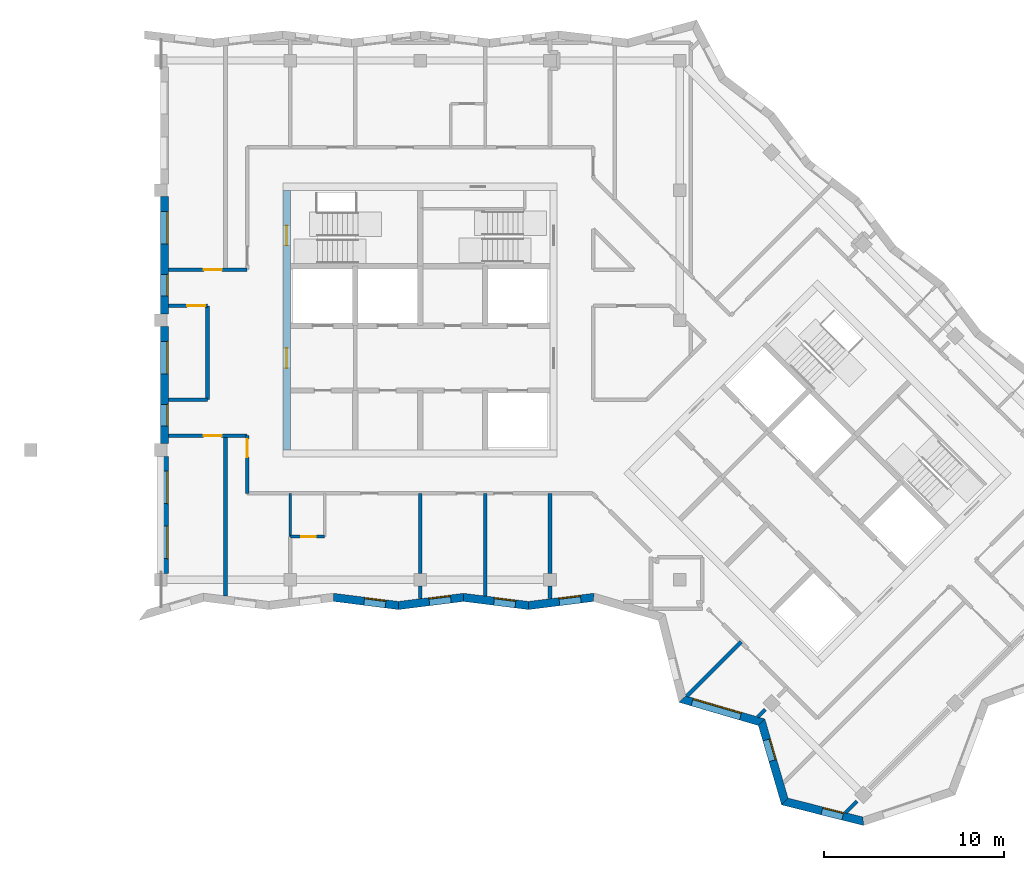
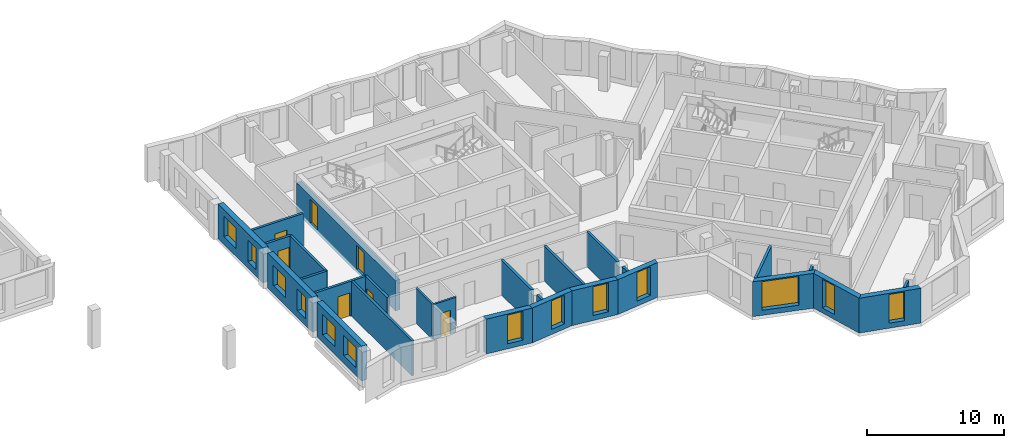
# One storey, part 2 of 12: 28 walls, 13 windows, 7 doors, 20 openings.
"""IFC4 building model written with IfcOpenShell, lengths in metres."""

from ifc_helpers import new_model, si_unit, direction, frame, frame_2d, origin, place, context, subcontext, project, spatial, polyline, rectangle, outline, extrude, material, layer, layer_set, type_object, element, fill, save


model = new_model("IFC4")

# Units and contexts
model_context = context("Model", 3, precision=1e-05, world=origin(), true_north=direction((0.0, 1.0)))
body_context = subcontext(model_context, "Body", "Model", "MODEL_VIEW")
ifc_project = project(units=[si_unit("LENGTHUNIT", "METRE"), si_unit("AREAUNIT", "SQUARE_METRE"), si_unit("VOLUMEUNIT", "CUBIC_METRE"), si_unit("PLANEANGLEUNIT", "RADIAN"), si_unit("MASSUNIT", "GRAM", prefix="KILO")], contexts=[model_context])

# Site, building, storey
site_placement = place(None, origin())
site = spatial("IfcSite", under=ifc_project, at=site_placement, CompositionType="ELEMENT")
building_placement = place(site_placement, origin())
building = spatial("IfcBuilding", under=site, at=building_placement, Name="Windrow Commons", CompositionType="ELEMENT")
storey_placement = place(building_placement, frame((0.0, 0.0, 260.8)))
storey = spatial("IfcBuildingStorey", under=building, at=storey_placement, Name="L71", CompositionType="ELEMENT", Elevation=260.8)

# Wall, opening, window
ifc_material_1 = material(Name="Brick masonry, red clay brick", Category="masonry")
ifc_layer_1 = layer(ifc_material_1, 0.45)
ifc_layer_set_1 = layer_set([ifc_layer_1], Name="Brick facade wall 450")
wall_type_1 = type_object("IfcWallType", Name="Brick facade wall 450", PredefinedType="SOLIDWALL", material=ifc_layer_set_1)
wall_1_placement = place(storey_placement, frame((60.0026, 42.2268, 0.0), z_axis=(0.0, 0.0, 1.0), x_axis=(0.9922477484, -0.124275524, 0.0)))
wall_1 = element("IfcWall", 1, at=wall_1_placement, inside=storey, type_object=wall_type_1, Name="Brick facade wall L71 41", PredefinedType="SOLIDWALL", context=body_context, shape_type="SweptSolid", body=[
    extrude(outline(polyline([(0.0282, -0.225), (3.6572, -0.225), (3.6008, 0.225), (-0.0282, 0.225), (0.0282, -0.225)])), origin(), (0.0, 0.0, 1.0), 3.1),
])
opening_1_placement = place(wall_1_placement, frame((1.7038, 0.0, 0.45)))
opening_1 = element("IfcOpeningElement", 2, at=opening_1_placement, cuts=wall_1, Name="Opening W7F", PredefinedType="OPENING", context=body_context, shape_type="SweptSolid", body=[
    extrude(rectangle(XDim=1.2, YDim=2.55, at=frame_2d((0.6, 1.275))), frame((0.0, 0.235, 0.0), z_axis=(0.0, -1.0, 0.0), x_axis=(1.0, 0.0, 0.0)), (0.0, 0.0, 1.0), 0.47),
])
ifc_material_2 = material(Name="Clear float glass in anodised aluminium frame", Category="aluminium")
window_type_1 = type_object("IfcWindowType", Name="Window W7 notch 1200x2550", PartitioningType="SINGLE_PANEL", PredefinedType="WINDOW", material=ifc_material_2)
window_1_placement = place(opening_1_placement, origin())
window_1 = element("IfcWindow", 3, at=window_1_placement, inside=storey, type_object=window_type_1, Name="Window L71 41.1", OverallHeight=2.55, OverallWidth=1.2, PartitioningType="SINGLE_PANEL", PredefinedType="WINDOW", context=body_context, shape_type="SweptSolid", body=[
    extrude(rectangle(XDim=1.2, YDim=2.55, at=frame_2d((0.6, 1.275))), frame((0.0, 0.205, 0.0), z_axis=(0.0, -1.0, 0.0), x_axis=(1.0, 0.0, 0.0)), (0.0, 0.0, 1.0), 0.06),
])
fill(opening_1, window_1)

wall_2_placement = place(storey_placement, frame((63.6035, 41.7758, 0.0), z_axis=(0.0, 0.0, 1.0), x_axis=(0.9922473228, 0.1242789221, 0.0)))
wall_2 = element("IfcWall", 4, at=wall_2_placement, inside=storey, type_object=wall_type_1, Name="Brick facade wall L71 42", PredefinedType="SOLIDWALL", context=body_context, shape_type="SweptSolid", body=[
    extrude(outline(polyline([(-0.0282, -0.225), (3.6008, -0.225), (3.6572, 0.225), (0.0282, 0.225), (-0.0282, -0.225)])), origin(), (0.0, 0.0, 1.0), 3.1),
])
opening_2_placement = place(wall_2_placement, frame((1.7174, 0.0, 0.45)))
opening_2 = element("IfcOpeningElement", 5, at=opening_2_placement, cuts=wall_2, Name="Opening W7F", PredefinedType="OPENING", context=body_context, shape_type="SweptSolid", body=[
    extrude(rectangle(XDim=1.2, YDim=2.55, at=frame_2d((0.6, 1.275))), frame((0.0, 0.235, 0.0), z_axis=(0.0, -1.0, 0.0), x_axis=(1.0, 0.0, 0.0)), (0.0, 0.0, 1.0), 0.47),
])
window_2_placement = place(opening_2_placement, origin())
window_2 = element("IfcWindow", 6, at=window_2_placement, inside=storey, type_object=window_type_1, Name="Window L71 42.1", OverallHeight=2.55, OverallWidth=1.2, PartitioningType="SINGLE_PANEL", PredefinedType="WINDOW", context=body_context, shape_type="SweptSolid", body=[
    extrude(rectangle(XDim=1.2, YDim=2.55, at=frame_2d((0.6, 1.275))), frame((0.0, 0.205, 0.0), z_axis=(0.0, -1.0, 0.0), x_axis=(1.0, 0.0, 0.0)), (0.0, 0.0, 1.0), 0.06),
])
fill(opening_2, window_2)

wall_3_placement = place(storey_placement, frame((67.2043, 42.2268, 0.0), z_axis=(0.0, 0.0, 1.0), x_axis=(0.9922477484, -0.124275524, 0.0)))
wall_3 = element("IfcWall", 7, at=wall_3_placement, inside=storey, type_object=wall_type_1, Name="Brick facade wall L71 43", PredefinedType="SOLIDWALL", context=body_context, shape_type="SweptSolid", body=[
    extrude(outline(polyline([(0.0282, -0.225), (3.6572, -0.225), (3.6008, 0.225), (-0.0282, 0.225), (0.0282, -0.225)])), origin(), (0.0, 0.0, 1.0), 3.1),
])
opening_3_placement = place(wall_3_placement, frame((1.7029, 0.0, 0.45)))
opening_3 = element("IfcOpeningElement", 8, at=opening_3_placement, cuts=wall_3, Name="Opening W7F", PredefinedType="OPENING", context=body_context, shape_type="SweptSolid", body=[
    extrude(rectangle(XDim=1.2, YDim=2.55, at=frame_2d((0.6, 1.275))), frame((0.0, 0.235, 0.0), z_axis=(0.0, -1.0, 0.0), x_axis=(1.0, 0.0, 0.0)), (0.0, 0.0, 1.0), 0.47),
])
window_3_placement = place(opening_3_placement, origin())
window_3 = element("IfcWindow", 9, at=window_3_placement, inside=storey, type_object=window_type_1, Name="Window L71 43.1", OverallHeight=2.55, OverallWidth=1.2, PartitioningType="SINGLE_PANEL", PredefinedType="WINDOW", context=body_context, shape_type="SweptSolid", body=[
    extrude(rectangle(XDim=1.2, YDim=2.55, at=frame_2d((0.6, 1.275))), frame((0.0, 0.205, 0.0), z_axis=(0.0, -1.0, 0.0), x_axis=(1.0, 0.0, 0.0)), (0.0, 0.0, 1.0), 0.06),
])
fill(opening_3, window_3)

wall_4_placement = place(storey_placement, frame((70.8052, 41.7758, 0.0), z_axis=(0.0, 0.0, 1.0), x_axis=(0.9922504354, 0.124254068, 0.0)))
wall_4 = element("IfcWall", 10, at=wall_4_placement, inside=storey, type_object=wall_type_1, Name="Brick facade wall L71 44", PredefinedType="SOLIDWALL", context=body_context, shape_type="SweptSolid", body=[
    extrude(outline(polyline([(-0.0282, -0.225), (3.6008, -0.225), (3.694, 0.225), (0.0282, 0.225), (-0.0282, -0.225)])), origin(), (0.0, 0.0, 1.0), 3.1),
])
opening_4_placement = place(wall_4_placement, frame((1.7258, 0.0, 0.45)))
opening_4 = element("IfcOpeningElement", 11, at=opening_4_placement, cuts=wall_4, Name="Opening W7F", PredefinedType="OPENING", context=body_context, shape_type="SweptSolid", body=[
    extrude(rectangle(XDim=1.2, YDim=2.55, at=frame_2d((0.6, 1.275))), frame((0.0, 0.235, 0.0), z_axis=(0.0, -1.0, 0.0), x_axis=(1.0, 0.0, 0.0)), (0.0, 0.0, 1.0), 0.47),
])
window_4_placement = place(opening_4_placement, origin())
window_4 = element("IfcWindow", 12, at=window_4_placement, inside=storey, type_object=window_type_1, Name="Window L71 44.1", OverallHeight=2.55, OverallWidth=1.2, PartitioningType="SINGLE_PANEL", PredefinedType="WINDOW", context=body_context, shape_type="SweptSolid", body=[
    extrude(rectangle(XDim=1.2, YDim=2.55, at=frame_2d((0.6, 1.275))), frame((0.0, 0.205, 0.0), z_axis=(0.0, -1.0, 0.0), x_axis=(1.0, 0.0, 0.0)), (0.0, 0.0, 1.0), 0.06),
])
fill(opening_4, window_4)

wall_5_placement = place(storey_placement, frame((79.3404, 36.5879, 0.0), z_axis=(0.0, 0.0, 1.0), x_axis=(0.9597007783, -0.281023871, 0.0)))
wall_5 = element("IfcWall", 13, at=wall_5_placement, inside=storey, type_object=wall_type_1, Name="Brick facade wall L71 47", PredefinedType="SOLIDWALL", context=body_context, shape_type="SweptSolid", body=[
    extrude(outline(polyline([(-0.1286, -0.225), (4.4556, -0.225), (4.7018, 0.225), (0.1286, 0.225), (-0.1286, -0.225)])), origin(), (0.0, 0.0, 1.0), 3.1),
])
opening_5_placement = place(wall_5_placement, frame((0.5668, 0.0, 0.45)))
opening_5 = element("IfcOpeningElement", 14, at=opening_5_placement, cuts=wall_5, Name="Opening W1V", PredefinedType="OPENING", context=body_context, shape_type="SweptSolid", body=[
    extrude(rectangle(XDim=2.8, YDim=2.55, at=frame_2d((1.4, 1.275))), frame((0.0, 0.235, 0.0), z_axis=(0.0, -1.0, 0.0), x_axis=(1.0, 0.0, 0.0)), (0.0, 0.0, 1.0), 0.47),
])
ifc_material_3 = material(Name="Clear float glass in anodised aluminium frame", Category="aluminium")
window_type_2 = type_object("IfcWindowType", Name="Window W1V bedroom 2800x2550", PartitioningType="SINGLE_PANEL", PredefinedType="WINDOW", material=ifc_material_3)
window_5_placement = place(opening_5_placement, origin())
window_5 = element("IfcWindow", 15, at=window_5_placement, inside=storey, type_object=window_type_2, Name="Window L71 47.1", OverallHeight=2.55, OverallWidth=2.8, PartitioningType="SINGLE_PANEL", PredefinedType="WINDOW", context=body_context, shape_type="SweptSolid", body=[
    extrude(rectangle(XDim=2.8, YDim=2.55, at=frame_2d((1.4, 1.275))), frame((0.0, 0.205, 0.0), z_axis=(0.0, -1.0, 0.0), x_axis=(1.0, 0.0, 0.0)), (0.0, 0.0, 1.0), 0.06),
])
fill(opening_5, window_5)

wall_6_placement = place(storey_placement, frame((83.7345, 35.3012, 0.0), z_axis=(0.0, 0.0, 1.0), x_axis=(0.281023871, -0.9597007783, 0.0)))
wall_6 = element("IfcWall", 16, at=wall_6_placement, inside=storey, type_object=wall_type_1, Name="Brick facade wall L71 48", PredefinedType="SOLIDWALL", context=body_context, shape_type="SweptSolid", body=[
    extrude(outline(polyline([(0.1231, -0.225), (4.7073, -0.225), (4.4501, 0.225), (-0.1231, 0.225), (0.1231, -0.225)])), origin(), (0.0, 0.0, 1.0), 3.1),
])
opening_6_placement = place(wall_6_placement, frame((1.0115, 0.0, 0.45)))
opening_6 = element("IfcOpeningElement", 17, at=opening_6_placement, cuts=wall_6, Name="Opening W7F", PredefinedType="OPENING", context=body_context, shape_type="SweptSolid", body=[
    extrude(rectangle(XDim=1.2, YDim=2.55, at=frame_2d((0.6, 1.275))), frame((0.0, 0.235, 0.0), z_axis=(0.0, -1.0, 0.0), x_axis=(1.0, 0.0, 0.0)), (0.0, 0.0, 1.0), 0.47),
])
window_6_placement = place(opening_6_placement, origin())
window_6 = element("IfcWindow", 18, at=window_6_placement, inside=storey, type_object=window_type_1, Name="Window L71 48.1", OverallHeight=2.55, OverallWidth=1.2, PartitioningType="SINGLE_PANEL", PredefinedType="WINDOW", context=body_context, shape_type="SweptSolid", body=[
    extrude(rectangle(XDim=1.2, YDim=2.55, at=frame_2d((0.6, 1.275))), frame((0.0, 0.205, 0.0), z_axis=(0.0, -1.0, 0.0), x_axis=(1.0, 0.0, 0.0)), (0.0, 0.0, 1.0), 0.06),
])
fill(opening_6, window_6)

wall_7_placement = place(storey_placement, frame((85.0212, 30.9071, 0.0), z_axis=(0.0, 0.0, 1.0), x_axis=(0.9695579017, -0.2448621555, 0.0)))
wall_7 = element("IfcWall", 19, at=wall_7_placement, inside=storey, type_object=wall_type_1, Name="Brick facade wall L71 49", PredefinedType="SOLIDWALL", context=body_context, shape_type="SweptSolid", body=[
    extrude(outline(polyline([(-0.1286, -0.225), (4.5549, -0.225), (4.4232, 0.225), (0.1286, 0.225), (-0.1286, -0.225)])), origin(), (0.0, 0.0, 1.0), 3.1),
])
opening_7_placement = place(wall_7_placement, frame((2.1227, 0.0, 0.45)))
opening_7 = element("IfcOpeningElement", 20, at=opening_7_placement, cuts=wall_7, Name="Opening W7F", PredefinedType="OPENING", context=body_context, shape_type="SweptSolid", body=[
    extrude(rectangle(XDim=1.2, YDim=2.55, at=frame_2d((0.6, 1.275))), frame((0.0, 0.235, 0.0), z_axis=(0.0, -1.0, 0.0), x_axis=(1.0, 0.0, 0.0)), (0.0, 0.0, 1.0), 0.47),
])
window_7_placement = place(opening_7_placement, origin())
window_7 = element("IfcWindow", 21, at=window_7_placement, inside=storey, type_object=window_type_1, Name="Window L71 49.1", OverallHeight=2.55, OverallWidth=1.2, PartitioningType="SINGLE_PANEL", PredefinedType="WINDOW", context=body_context, shape_type="SweptSolid", body=[
    extrude(rectangle(XDim=1.2, YDim=2.55, at=frame_2d((0.6, 1.275))), frame((0.0, 0.205, 0.0), z_axis=(0.0, -1.0, 0.0), x_axis=(1.0, 0.0, 0.0)), (0.0, 0.0, 1.0), 0.06),
])
fill(opening_7, window_7)

# Wall, openings, windows
wall_8_placement = place(storey_placement, frame((50.625, 64.45, 0.0), z_axis=(0.0, 0.0, 1.0), x_axis=(0.0, -1.0, 0.0)))
wall_8 = element("IfcWall", 22, at=wall_8_placement, inside=storey, type_object=wall_type_1, Name="Brick portal return L71 12.2", PredefinedType="SOLIDWALL", context=body_context, shape_type="SweptSolid", body=[
    extrude(rectangle(XDim=6.5, YDim=0.45, at=frame_2d((3.25, 0.0))), origin(), (0.0, 0.0, 1.0), 3.1),
])
opening_8_placement = place(wall_8_placement, frame((0.825, 0.0, 0.7)))
opening_8 = element("IfcOpeningElement", 23, at=opening_8_placement, cuts=wall_8, Name="Opening W8", PredefinedType="OPENING", context=body_context, shape_type="SweptSolid", body=[
    extrude(rectangle(XDim=1.8, YDim=1.8, at=frame_2d((0.9, 0.9))), frame((0.0, 0.235, 0.0), z_axis=(0.0, -1.0, 0.0), x_axis=(1.0, 0.0, 0.0)), (0.0, 0.0, 1.0), 0.47),
])
opening_9_placement = place(wall_8_placement, frame((4.3125, 0.0, 0.6)))
opening_9 = element("IfcOpeningElement", 24, at=opening_9_placement, cuts=wall_8, Name="Opening W7G", PredefinedType="OPENING", context=body_context, shape_type="SweptSolid", body=[
    extrude(rectangle(XDim=1.2, YDim=1.9, at=frame_2d((0.6, 0.95))), frame((0.0, 0.235, 0.0), z_axis=(0.0, -1.0, 0.0), x_axis=(1.0, 0.0, 0.0)), (0.0, 0.0, 1.0), 0.47),
])
ifc_material_4 = material(Name="Clear float glass in anodised aluminium frame", Category="aluminium")
window_type_3 = type_object("IfcWindowType", Name="Window W7 notch 1200x1900", PartitioningType="SINGLE_PANEL", PredefinedType="WINDOW", material=ifc_material_4)
window_8_placement = place(opening_9_placement, origin())
window_8 = element("IfcWindow", 25, at=window_8_placement, inside=storey, type_object=window_type_3, Name="Window L71 portal 12.2.2A", OverallHeight=1.9, OverallWidth=1.2, PartitioningType="SINGLE_PANEL", PredefinedType="WINDOW", context=body_context, shape_type="SweptSolid", body=[
    extrude(rectangle(XDim=1.2, YDim=1.9, at=frame_2d((0.6, 0.95))), frame((0.0, 0.205, 0.0), z_axis=(0.0, -1.0, 0.0), x_axis=(1.0, 0.0, 0.0)), (0.0, 0.0, 1.0), 0.06),
])
fill(opening_9, window_8)
ifc_material_5 = material(Name="Clear float glass in anodised aluminium frame", Category="aluminium")
window_type_4 = type_object("IfcWindowType", Name="Window W8 portal 1800x1800", PartitioningType="SINGLE_PANEL", PredefinedType="WINDOW", material=ifc_material_5)
window_9_placement = place(opening_8_placement, origin())
window_9 = element("IfcWindow", 26, at=window_9_placement, inside=storey, type_object=window_type_4, Name="Window L71 portal 12.2.1", OverallHeight=1.8, OverallWidth=1.8, PartitioningType="SINGLE_PANEL", PredefinedType="WINDOW", context=body_context, shape_type="SweptSolid", body=[
    extrude(rectangle(XDim=1.8, YDim=1.8, at=frame_2d((0.9, 0.9))), frame((0.0, 0.205, 0.0), z_axis=(0.0, -1.0, 0.0), x_axis=(1.0, 0.0, 0.0)), (0.0, 0.0, 1.0), 0.06),
])
fill(opening_8, window_9)

wall_9_placement = place(storey_placement, frame((50.625, 57.25, 0.0), z_axis=(0.0, 0.0, 1.0), x_axis=(0.0, -1.0, 0.0)))
wall_9 = element("IfcWall", 27, at=wall_9_placement, inside=storey, type_object=wall_type_1, Name="Brick portal return L71 12.3", PredefinedType="SOLIDWALL", context=body_context, shape_type="SweptSolid", body=[
    extrude(rectangle(XDim=6.5, YDim=0.45, at=frame_2d((3.25, 0.0))), origin(), (0.0, 0.0, 1.0), 3.1),
])
opening_10_placement = place(wall_9_placement, frame((0.825, 0.0, 0.7)))
opening_10 = element("IfcOpeningElement", 28, at=opening_10_placement, cuts=wall_9, Name="Opening W8", PredefinedType="OPENING", context=body_context, shape_type="SweptSolid", body=[
    extrude(rectangle(XDim=1.8, YDim=1.8, at=frame_2d((0.9, 0.9))), frame((0.0, 0.235, 0.0), z_axis=(0.0, -1.0, 0.0), x_axis=(1.0, 0.0, 0.0)), (0.0, 0.0, 1.0), 0.47),
])
opening_11_placement = place(wall_9_placement, frame((4.3125, 0.0, 0.6)))
opening_11 = element("IfcOpeningElement", 29, at=opening_11_placement, cuts=wall_9, Name="Opening W7G", PredefinedType="OPENING", context=body_context, shape_type="SweptSolid", body=[
    extrude(rectangle(XDim=1.2, YDim=1.9, at=frame_2d((0.6, 0.95))), frame((0.0, 0.235, 0.0), z_axis=(0.0, -1.0, 0.0), x_axis=(1.0, 0.0, 0.0)), (0.0, 0.0, 1.0), 0.47),
])
window_10_placement = place(opening_11_placement, origin())
window_10 = element("IfcWindow", 30, at=window_10_placement, inside=storey, type_object=window_type_3, Name="Window L71 portal 12.3.2A", OverallHeight=1.9, OverallWidth=1.2, PartitioningType="SINGLE_PANEL", PredefinedType="WINDOW", context=body_context, shape_type="SweptSolid", body=[
    extrude(rectangle(XDim=1.2, YDim=1.9, at=frame_2d((0.6, 0.95))), frame((0.0, 0.205, 0.0), z_axis=(0.0, -1.0, 0.0), x_axis=(1.0, 0.0, 0.0)), (0.0, 0.0, 1.0), 0.06),
])
fill(opening_11, window_10)
window_11_placement = place(opening_10_placement, origin())
window_11 = element("IfcWindow", 31, at=window_11_placement, inside=storey, type_object=window_type_4, Name="Window L71 portal 12.3.1", OverallHeight=1.8, OverallWidth=1.8, PartitioningType="SINGLE_PANEL", PredefinedType="WINDOW", context=body_context, shape_type="SweptSolid", body=[
    extrude(rectangle(XDim=1.8, YDim=1.8, at=frame_2d((0.9, 0.9))), frame((0.0, 0.205, 0.0), z_axis=(0.0, -1.0, 0.0), x_axis=(1.0, 0.0, 0.0)), (0.0, 0.0, 1.0), 0.06),
])
fill(opening_10, window_11)

wall_10_placement = place(storey_placement, frame((50.625, 50.05, 0.0), z_axis=(0.0, 0.0, 1.0), x_axis=(0.0, -1.0, 0.0)))
wall_10 = element("IfcWall", 32, at=wall_10_placement, inside=storey, type_object=wall_type_1, Name="Brick portal return L71 12.4", PredefinedType="SOLIDWALL", context=body_context, shape_type="SweptSolid", body=[
    extrude(rectangle(XDim=6.5, YDim=0.45, at=frame_2d((3.25, 0.0))), origin(), (0.0, 0.0, 1.0), 3.1),
])
opening_12_placement = place(wall_10_placement, frame((0.825, 0.0, 0.7)))
opening_12 = element("IfcOpeningElement", 33, at=opening_12_placement, cuts=wall_10, Name="Opening W8", PredefinedType="OPENING", context=body_context, shape_type="SweptSolid", body=[
    extrude(rectangle(XDim=1.8, YDim=1.8, at=frame_2d((0.9, 0.9))), frame((0.0, 0.235, 0.0), z_axis=(0.0, -1.0, 0.0), x_axis=(1.0, 0.0, 0.0)), (0.0, 0.0, 1.0), 0.47),
])
opening_13_placement = place(wall_10_placement, frame((3.875, 0.0, 0.7)))
opening_13 = element("IfcOpeningElement", 34, at=opening_13_placement, cuts=wall_10, Name="Opening W8", PredefinedType="OPENING", context=body_context, shape_type="SweptSolid", body=[
    extrude(rectangle(XDim=1.8, YDim=1.8, at=frame_2d((0.9, 0.9))), frame((0.0, 0.235, 0.0), z_axis=(0.0, -1.0, 0.0), x_axis=(1.0, 0.0, 0.0)), (0.0, 0.0, 1.0), 0.47),
])
window_12_placement = place(opening_12_placement, origin())
window_12 = element("IfcWindow", 35, at=window_12_placement, inside=storey, type_object=window_type_4, Name="Window L71 portal 12.4.1", OverallHeight=1.8, OverallWidth=1.8, PartitioningType="SINGLE_PANEL", PredefinedType="WINDOW", context=body_context, shape_type="SweptSolid", body=[
    extrude(rectangle(XDim=1.8, YDim=1.8, at=frame_2d((0.9, 0.9))), frame((0.0, 0.205, 0.0), z_axis=(0.0, -1.0, 0.0), x_axis=(1.0, 0.0, 0.0)), (0.0, 0.0, 1.0), 0.06),
])
fill(opening_12, window_12)
window_13_placement = place(opening_13_placement, origin())
window_13 = element("IfcWindow", 36, at=window_13_placement, inside=storey, type_object=window_type_4, Name="Window L71 portal 12.4.2", OverallHeight=1.8, OverallWidth=1.8, PartitioningType="SINGLE_PANEL", PredefinedType="WINDOW", context=body_context, shape_type="SweptSolid", body=[
    extrude(rectangle(XDim=1.8, YDim=1.8, at=frame_2d((0.9, 0.9))), frame((0.0, 0.205, 0.0), z_axis=(0.0, -1.0, 0.0), x_axis=(1.0, 0.0, 0.0)), (0.0, 0.0, 1.0), 0.06),
])
fill(opening_13, window_13)

# Wall
ifc_material_6 = material(Name="Blockwork partition", Category="masonry")
ifc_layer_2 = layer(ifc_material_6, 0.2)
ifc_layer_set_2 = layer_set([ifc_layer_2], Name="IW-CORRIDOR-200")
wall_type_2 = type_object("IfcWallType", Name="IW-CORRIDOR-200", PredefinedType="PARTITIONING", material=ifc_layer_set_2)
wall_11_placement = place(storey_placement, frame((53.0, 53.202, 0.0), z_axis=(0.0, 0.0, 1.0), x_axis=(0.0, 1.0, 0.0)))
element("IfcWall", 37, at=wall_11_placement, inside=storey, type_object=wall_type_2, Name="W-L71-W019", PredefinedType="PARTITIONING", context=body_context, shape_type="SweptSolid", body=[
    extrude(rectangle(XDim=5.198, YDim=0.2, at=frame_2d((2.599, 0.0))), origin(), (0.0, 0.0, 1.0), 3.1),
])

# Wall, opening, door
wall_12_placement = place(storey_placement, frame((50.85, 51.2, 0.0), z_axis=(0.0, 0.0, 1.0), x_axis=(1.0, 0.0, 0.0)))
wall_12 = element("IfcWall", 38, at=wall_12_placement, inside=storey, type_object=wall_type_2, Name="W-L71-W028", PredefinedType="PARTITIONING", context=body_context, shape_type="SweptSolid", body=[
    extrude(rectangle(XDim=4.35, YDim=0.2, at=frame_2d((2.175, 0.0))), origin(), (0.0, 0.0, 1.0), 3.1),
])
opening_14_placement = place(wall_12_placement, frame((1.9314, 0.0, 0.0)))
opening_14 = element("IfcOpeningElement", 39, at=opening_14_placement, cuts=wall_12, Name="Opening D310F", PredefinedType="OPENING", context=body_context, shape_type="SweptSolid", body=[
    extrude(rectangle(XDim=1.0, YDim=2.1, at=frame_2d((0.5, 1.05))), frame((0.0, 0.11, 0.0), z_axis=(0.0, -1.0, 0.0), x_axis=(1.0, 0.0, 0.0)), (0.0, 0.0, 1.0), 0.22),
])
ifc_material_7 = material(Name="Timber door leaf", Category="wood")
door_type_1 = type_object("IfcDoorType", Name="DT-AMENITY-1000", OperationType="SINGLE_SWING_LEFT", PredefinedType="DOOR", material=ifc_material_7)
door_1_placement = place(opening_14_placement, origin())
door_1 = element("IfcDoor", 40, at=door_1_placement, inside=storey, type_object=door_type_1, Name="D-L71-D000", OperationType="SINGLE_SWING_LEFT", OverallHeight=2.1, OverallWidth=1.0, PredefinedType="DOOR", context=body_context, shape_type="SweptSolid", body=[
    extrude(rectangle(XDim=1.0, YDim=2.1, at=frame_2d((0.5, 1.05))), frame((0.0, 0.025, 0.0), z_axis=(0.0, -1.0, 0.0), x_axis=(1.0, 0.0, 0.0)), (0.0, 0.0, 1.0), 0.05),
])
fill(opening_14, door_1)

wall_13_placement = place(storey_placement, frame((50.85, 60.4, 0.0), z_axis=(0.0, 0.0, 1.0), x_axis=(1.0, 0.0, 0.0)))
wall_13 = element("IfcWall", 41, at=wall_13_placement, inside=storey, type_object=wall_type_2, Name="W-L71-W029", PredefinedType="PARTITIONING", context=body_context, shape_type="SweptSolid", body=[
    extrude(rectangle(XDim=4.35, YDim=0.2, at=frame_2d((2.175, 0.0))), origin(), (0.0, 0.0, 1.0), 3.1),
])
opening_15_placement = place(wall_13_placement, frame((1.9457, 0.0, 0.0)))
opening_15 = element("IfcOpeningElement", 42, at=opening_15_placement, cuts=wall_13, Name="Opening D310F", PredefinedType="OPENING", context=body_context, shape_type="SweptSolid", body=[
    extrude(rectangle(XDim=1.0, YDim=2.1, at=frame_2d((0.5, 1.05))), frame((0.0, 0.11, 0.0), z_axis=(0.0, -1.0, 0.0), x_axis=(1.0, 0.0, 0.0)), (0.0, 0.0, 1.0), 0.22),
])
door_2_placement = place(opening_15_placement, origin())
door_2 = element("IfcDoor", 43, at=door_2_placement, inside=storey, type_object=door_type_1, Name="D-L71-D009", OperationType="SINGLE_SWING_RIGHT", OverallHeight=2.1, OverallWidth=1.0, PredefinedType="DOOR", context=body_context, shape_type="SweptSolid", body=[
    extrude(rectangle(XDim=1.0, YDim=2.1, at=frame_2d((0.5, 1.05))), frame((0.0, 0.025, 0.0), z_axis=(0.0, -1.0, 0.0), x_axis=(1.0, 0.0, 0.0)), (0.0, 0.0, 1.0), 0.05),
])
fill(opening_15, door_2)

wall_14_placement = place(storey_placement, frame((55.2, 48.0, 0.0), z_axis=(0.0, 0.0, 1.0), x_axis=(0.0, 1.0, 0.0)))
wall_14 = element("IfcWall", 44, at=wall_14_placement, inside=storey, type_object=wall_type_2, Name="W-L71-W039", PredefinedType="PARTITIONING", context=body_context, shape_type="SweptSolid", body=[
    extrude(rectangle(XDim=3.2, YDim=0.2, at=frame_2d((1.6, 0.0))), origin(), (0.0, 0.0, 1.0), 3.1),
])
opening_16_placement = place(wall_14_placement, frame((2.0043, 0.0, 0.0)))
opening_16 = element("IfcOpeningElement", 45, at=opening_16_placement, cuts=wall_14, Name="Opening D310F", PredefinedType="OPENING", context=body_context, shape_type="SweptSolid", body=[
    extrude(rectangle(XDim=1.0, YDim=2.1, at=frame_2d((0.5, 1.05))), frame((0.0, 0.11, 0.0), z_axis=(0.0, -1.0, 0.0), x_axis=(1.0, 0.0, 0.0)), (0.0, 0.0, 1.0), 0.22),
])
door_3_placement = place(opening_16_placement, origin())
door_3 = element("IfcDoor", 46, at=door_3_placement, inside=storey, type_object=door_type_1, Name="D-L71-D001", OperationType="SINGLE_SWING_RIGHT", OverallHeight=2.1, OverallWidth=1.0, PredefinedType="DOOR", context=body_context, shape_type="SweptSolid", body=[
    extrude(rectangle(XDim=1.0, YDim=2.1, at=frame_2d((0.5, 1.05))), frame((0.0, 0.025, 0.0), z_axis=(0.0, -1.0, 0.0), x_axis=(1.0, 0.0, 0.0)), (0.0, 0.0, 1.0), 0.05),
])
fill(opening_16, door_3)

# Wall
wall_15_placement = place(storey_placement, frame((50.85, 53.2, 0.0), z_axis=(0.0, 0.0, 1.0), x_axis=(1.0, 0.0, 0.0)))
element("IfcWall", 47, at=wall_15_placement, inside=storey, type_object=wall_type_2, Name="W-L71-W061", PredefinedType="PARTITIONING", context=body_context, shape_type="SweptSolid", body=[
    extrude(rectangle(XDim=2.15, YDim=0.2, at=frame_2d((1.075, 0.0))), origin(), (0.0, 0.0, 1.0), 3.1),
])

# Wall, opening, door
wall_16_placement = place(storey_placement, frame((50.85, 58.4, 0.0), z_axis=(0.0, 0.0, 1.0), x_axis=(1.0, 0.0, 0.0)))
wall_16 = element("IfcWall", 48, at=wall_16_placement, inside=storey, type_object=wall_type_2, Name="W-L71-W062", PredefinedType="PARTITIONING", context=body_context, shape_type="SweptSolid", body=[
    extrude(rectangle(XDim=2.15, YDim=0.2, at=frame_2d((1.075, 0.0))), origin(), (0.0, 0.0, 1.0), 3.1),
])
opening_17_placement = place(wall_16_placement, frame((1.0186, 0.0, 0.0)))
opening_17 = element("IfcOpeningElement", 49, at=opening_17_placement, cuts=wall_16, Name="Opening D410F", PredefinedType="OPENING", context=body_context, shape_type="SweptSolid", body=[
    extrude(rectangle(XDim=1.0, YDim=2.1, at=frame_2d((0.5, 1.05))), frame((0.0, 0.11, 0.0), z_axis=(0.0, -1.0, 0.0), x_axis=(1.0, 0.0, 0.0)), (0.0, 0.0, 1.0), 0.22),
])
ifc_material_8 = material(Name="Timber door leaf", Category="wood")
door_type_2 = type_object("IfcDoorType", Name="DT-SERVICE-1000", OperationType="SINGLE_SWING_LEFT", PredefinedType="DOOR", material=ifc_material_8)
door_4_placement = place(opening_17_placement, origin())
door_4 = element("IfcDoor", 50, at=door_4_placement, inside=storey, type_object=door_type_2, Name="D-L71-D007", OperationType="SINGLE_SWING_LEFT", OverallHeight=2.1, OverallWidth=1.0, PredefinedType="DOOR", context=body_context, shape_type="SweptSolid", body=[
    extrude(rectangle(XDim=1.0, YDim=2.1, at=frame_2d((0.5, 1.05))), frame((0.0, 0.025, 0.0), z_axis=(0.0, -1.0, 0.0), x_axis=(1.0, 0.0, 0.0)), (0.0, 0.0, 1.0), 0.05),
])
fill(opening_17, door_4)

# Wall
ifc_material_9 = material(Name="Blockwork partition", Category="masonry")
ifc_layer_3 = layer(ifc_material_9, 0.15)
ifc_layer_set_3 = layer_set([ifc_layer_3], Name="IW-ENSUITE-150")
wall_type_3 = type_object("IfcWallType", Name="IW-ENSUITE-150", PredefinedType="PARTITIONING", material=ifc_layer_set_3)
wall_17_placement = place(storey_placement, frame((57.6, 45.6, 0.0), z_axis=(0.0, 0.0, 1.0), x_axis=(0.0, 1.0, 0.0)))
element("IfcWall", 51, at=wall_17_placement, inside=storey, type_object=wall_type_3, Name="W-L71-W050", PredefinedType="PARTITIONING", context=body_context, shape_type="SweptSolid", body=[
    extrude(rectangle(XDim=2.4, YDim=0.15, at=frame_2d((1.2, 0.0))), origin(), (0.0, 0.0, 1.0), 3.1),
])

# Wall, opening, door
wall_18_placement = place(storey_placement, frame((57.6, 45.6, 0.0), z_axis=(0.0, 0.0, 1.0), x_axis=(1.0, 0.0, 0.0)))
wall_18 = element("IfcWall", 52, at=wall_18_placement, inside=storey, type_object=wall_type_3, Name="W-L71-W068", PredefinedType="PARTITIONING", context=body_context, shape_type="SweptSolid", body=[
    extrude(rectangle(XDim=1.9, YDim=0.15, at=frame_2d((0.95, 0.0))), origin(), (0.0, 0.0, 1.0), 3.1),
])
opening_18_placement = place(wall_18_placement, frame((0.6069, 0.0, 0.0)))
opening_18 = element("IfcOpeningElement", 53, at=opening_18_placement, cuts=wall_18, Name="Opening D208N", PredefinedType="OPENING", context=body_context, shape_type="SweptSolid", body=[
    extrude(rectangle(XDim=0.8, YDim=2.1, at=frame_2d((0.4, 1.05))), frame((0.0, 0.085, 0.0), z_axis=(0.0, -1.0, 0.0), x_axis=(1.0, 0.0, 0.0)), (0.0, 0.0, 1.0), 0.17),
])
ifc_material_10 = material(Name="Timber door leaf", Category="wood")
door_type_3 = type_object("IfcDoorType", Name="DT-ENSUITE-800", OperationType="SINGLE_SWING_LEFT", PredefinedType="DOOR", material=ifc_material_10)
door_5_placement = place(opening_18_placement, origin())
door_5 = element("IfcDoor", 54, at=door_5_placement, inside=storey, type_object=door_type_3, Name="D-L71-D003", OperationType="SINGLE_SWING_RIGHT", OverallHeight=2.1, OverallWidth=0.8, PredefinedType="DOOR", context=body_context, shape_type="SweptSolid", body=[
    extrude(rectangle(XDim=0.8, YDim=2.1, at=frame_2d((0.4, 1.05))), frame((0.0, 0.025, 0.0), z_axis=(0.0, -1.0, 0.0), x_axis=(1.0, 0.0, 0.0)), (0.0, 0.0, 1.0), 0.05),
])
fill(opening_18, door_5)

# Walls
ifc_material_11 = material(Name="Blockwork partition", Category="masonry")
ifc_layer_4 = layer(ifc_material_11, 0.2)
ifc_layer_set_4 = layer_set([ifc_layer_4], Name="IW-PARTY-200")
wall_type_4 = type_object("IfcWallType", Name="IW-PARTY-200", PredefinedType="PARTITIONING", material=ifc_layer_set_4)
wall_19_placement = place(storey_placement, frame((54.0, 42.3033, 0.0), z_axis=(0.0, 0.0, 1.0), x_axis=(0.0, 1.0, 0.0)))
element("IfcWall", 55, at=wall_19_placement, inside=storey, type_object=wall_type_4, Name="W-L71-W008", PredefinedType="PARTITIONING", context=body_context, shape_type="SweptSolid", body=[
    extrude(rectangle(XDim=8.8967, YDim=0.2, at=frame_2d((4.4483, 0.0))), origin(), (0.0, 0.0, 1.0), 3.1),
])
wall_20_placement = place(storey_placement, frame((68.4, 42.3038, 0.0), z_axis=(0.0, 0.0, 1.0), x_axis=(0.0, 1.0, 0.0)))
element("IfcWall", 56, at=wall_20_placement, inside=storey, type_object=wall_type_4, Name="W-L71-W016", PredefinedType="PARTITIONING", context=body_context, shape_type="SweptSolid", body=[
    extrude(rectangle(XDim=5.6962, YDim=0.2, at=frame_2d((2.8481, 0.0))), origin(), (0.0, 0.0, 1.0), 3.1),
])
for number, where, z_axis, x_axis, name in (
    (57, (64.8, 43.55, 0.0), (0.0, 0.0, 1.0), (0.0, 1.0, 0.0), "W-L71-W025"),
    (58, (72.0, 43.55, 0.0), (0.0, 0.0, 1.0), (0.0, 1.0, 0.0), "W-L71-W026"),
):
    element("IfcWall", number, at=place(storey_placement, frame(where, z_axis=z_axis, x_axis=x_axis)), inside=storey, type_object=wall_type_4, Name=name, PredefinedType="PARTITIONING", context=body_context, shape_type="SweptSolid", body=[
        extrude(rectangle(XDim=4.45, YDim=0.2, at=frame_2d((2.225, 0.0))), origin(), (0.0, 0.0, 1.0), 3.1),
    ])
wall_21_placement = place(storey_placement, frame((79.5867, 36.7502, 0.0), z_axis=(0.0, 0.0, 1.0), x_axis=(0.7071185405, 0.7070950217, 0.0)))
element("IfcWall", 59, at=wall_21_placement, inside=storey, type_object=wall_type_4, Name="W-L71-W031", PredefinedType="PARTITIONING", context=body_context, shape_type="SweptSolid", body=[
    extrude(rectangle(XDim=4.2519, YDim=0.2, at=frame_2d((2.126, 0.0))), origin(), (0.0, 0.0, 1.0), 3.1),
])
wall_22_placement = place(storey_placement, frame((88.3967, 30.2866, 0.0), z_axis=(0.0, 0.0, 1.0), x_axis=(0.7070510442, 0.7071625137, 0.0)))
element("IfcWall", 60, at=wall_22_placement, inside=storey, type_object=wall_type_4, Name="W-L71-W078", PredefinedType="PARTITIONING", context=body_context, shape_type="SweptSolid", body=[
    extrude(rectangle(XDim=0.8971, YDim=0.2, at=frame_2d((0.4486, 0.0))), origin(), (0.0, 0.0, 1.0), 3.1),
])
wall_23_placement = place(storey_placement, frame((72.0, 42.1522, 0.0), z_axis=(0.0, 0.0, 1.0), x_axis=(0.0, 1.0, 0.0)))
element("IfcWall", 61, at=wall_23_placement, inside=storey, type_object=wall_type_4, Name="W-L71-W085", PredefinedType="PARTITIONING", context=body_context, shape_type="SweptSolid", body=[
    extrude(rectangle(XDim=0.6978, YDim=0.2, at=frame_2d((0.3489, 0.0))), origin(), (0.0, 0.0, 1.0), 3.1),
])
wall_24_placement = place(storey_placement, frame((64.8, 42.1524, 0.0), z_axis=(0.0, 0.0, 1.0), x_axis=(0.0, 1.0, 0.0)))
element("IfcWall", 62, at=wall_24_placement, inside=storey, type_object=wall_type_4, Name="W-L71-W086", PredefinedType="PARTITIONING", context=body_context, shape_type="SweptSolid", body=[
    extrude(rectangle(XDim=0.6976, YDim=0.2, at=frame_2d((0.3488, 0.0))), origin(), (0.0, 0.0, 1.0), 3.1),
])
wall_25_placement = place(storey_placement, frame((83.5248, 35.5971, 0.0), z_axis=(0.0, 0.0, 1.0), x_axis=(0.7070217975, 0.7071917547, 0.0)))
element("IfcWall", 63, at=wall_25_placement, inside=storey, type_object=wall_type_4, Name="W-L71-W091", PredefinedType="PARTITIONING", context=body_context, shape_type="SweptSolid", body=[
    extrude(rectangle(XDim=0.5884, YDim=0.2, at=frame_2d((0.2942, 0.0))), origin(), (0.0, 0.0, 1.0), 3.1),
])

# Wall, openings, doors
ifc_material_12 = material(Name="Concrete C40/50", Category="concrete")
ifc_layer_5 = layer(ifc_material_12, 0.4)
ifc_layer_set_5 = layer_set([ifc_layer_5], Name="RC CORE WALL 400 C40/50")
wall_type_5 = type_object("IfcWallType", Name="RC CORE WALL 400 C40/50", PredefinedType="SHEAR", material=ifc_layer_set_5)
wall_26_placement = place(storey_placement, frame((57.4, 50.4, -0.3), z_axis=(0.0, 0.0, 1.0), x_axis=(0.0, 1.0, 0.0)))
wall_26 = element("IfcWall", 64, at=wall_26_placement, inside=storey, type_object=wall_type_5, Name="Core A wall outer-W", PredefinedType="SHEAR", context=body_context, shape_type="SweptSolid", body=[
    extrude(rectangle(XDim=14.4, YDim=0.4, at=frame_2d((7.2, 0.0))), origin(), (0.0, 0.0, 1.0), 2.7),
])
opening_19_placement = place(wall_26_placement, frame((4.55, 0.0, 0.3)))
opening_19 = element("IfcOpeningElement", 65, at=opening_19_placement, cuts=wall_26, Name="Opening D6", PredefinedType="OPENING", context=body_context, shape_type="SweptSolid", body=[
    extrude(rectangle(XDim=1.1, YDim=2.1, at=frame_2d((0.55, 1.05))), frame((0.0, 0.21, 0.0), z_axis=(0.0, -1.0, 0.0), x_axis=(1.0, 0.0, 0.0)), (0.0, 0.0, 1.0), 0.42),
])
opening_20_placement = place(wall_26_placement, frame((11.35, 0.0, 0.3)))
opening_20 = element("IfcOpeningElement", 66, at=opening_20_placement, cuts=wall_26, Name="Opening D7", PredefinedType="OPENING", context=body_context, shape_type="SweptSolid", body=[
    extrude(rectangle(XDim=1.1, YDim=2.1, at=frame_2d((0.55, 1.05))), frame((0.0, 0.21, 0.0), z_axis=(0.0, -1.0, 0.0), x_axis=(1.0, 0.0, 0.0)), (0.0, 0.0, 1.0), 0.42),
])
ifc_material_13 = material(Name="Steel fire door leaf", Category="steel")
door_type_4 = type_object("IfcDoorType", Name="Core lobby door 1100", OperationType="SINGLE_SWING_LEFT", PredefinedType="DOOR", material=ifc_material_13)
door_6_placement = place(opening_19_placement, origin())
door_6 = element("IfcDoor", 67, at=door_6_placement, inside=storey, type_object=door_type_4, Name="Lift lobby door", OperationType="DOUBLE_DOOR_SINGLE_SWING", OverallHeight=2.1, OverallWidth=1.1, PredefinedType="DOOR", context=body_context, shape_type="SweptSolid", body=[
    extrude(rectangle(XDim=1.1, YDim=2.1, at=frame_2d((0.55, 1.05))), frame((0.0, 0.025, 0.0), z_axis=(0.0, -1.0, 0.0), x_axis=(1.0, 0.0, 0.0)), (0.0, 0.0, 1.0), 0.05),
])
fill(opening_19, door_6)
ifc_material_14 = material(Name="Steel fire door leaf", Category="steel")
door_type_5 = type_object("IfcDoorType", Name="Stair door 1100", OperationType="SINGLE_SWING_LEFT", PredefinedType="DOOR", material=ifc_material_14)
door_7_placement = place(opening_20_placement, origin())
door_7 = element("IfcDoor", 68, at=door_7_placement, inside=storey, type_object=door_type_5, Name="Stair door", OperationType="SINGLE_SWING_LEFT", OverallHeight=2.1, OverallWidth=1.1, PredefinedType="DOOR", context=body_context, shape_type="SweptSolid", body=[
    extrude(rectangle(XDim=1.1, YDim=2.1, at=frame_2d((0.55, 1.05))), frame((0.0, 0.025, 0.0), z_axis=(0.0, -1.0, 0.0), x_axis=(1.0, 0.0, 0.0)), (0.0, 0.0, 1.0), 0.05),
])
fill(opening_20, door_7)

save(model, "model.ifc")
